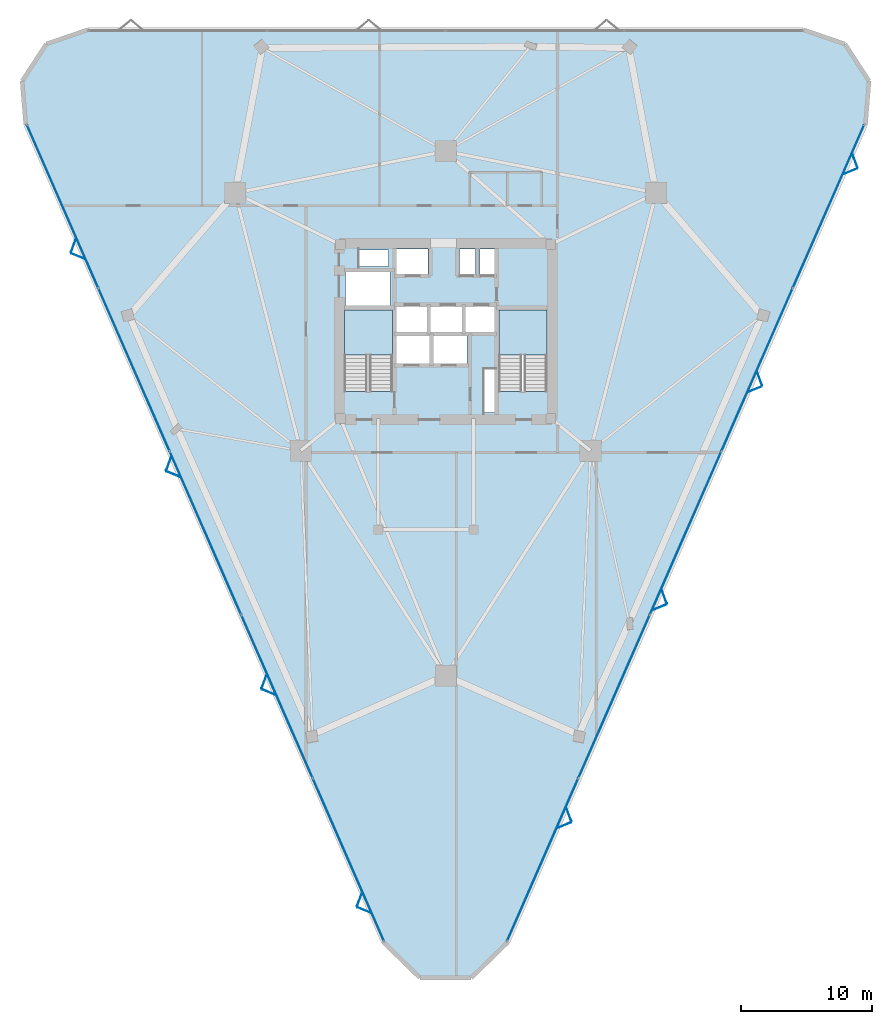
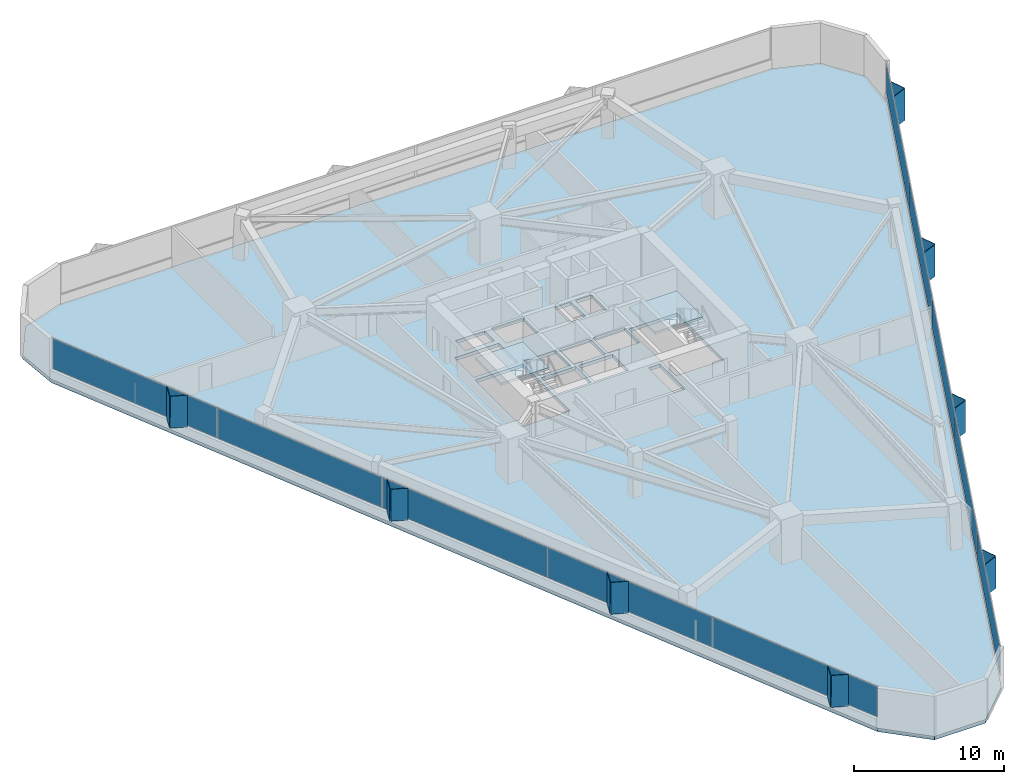
# One storey, part 15 of 20: 26 plates, 3 slabs, 4 elements without a shape of their own.
"""IFC4 building model written with IfcOpenShell, lengths in metres."""

from ifc_helpers import new_model, si_unit, direction, frame, origin, origin_2d, place, context, subcontext, project, spatial, polyline, rectangle, outline, extrude, material, layer, layer_set, type_object, element, aggregate, save


model = new_model("IFC4")

# Units and contexts
model_context = context("Model", 3, precision=1e-05, world=origin(), true_north=direction((0.0, 1.0)))
body_context = subcontext(model_context, "Body", "Model", "MODEL_VIEW")
ifc_project = project(units=[si_unit("LENGTHUNIT", "METRE"), si_unit("AREAUNIT", "SQUARE_METRE"), si_unit("VOLUMEUNIT", "CUBIC_METRE"), si_unit("PLANEANGLEUNIT", "RADIAN"), si_unit("MASSUNIT", "GRAM", prefix="KILO")], contexts=[model_context])

# Site, building, storey
site_placement = place(None, origin())
site = spatial("IfcSite", under=ifc_project, at=site_placement, CompositionType="ELEMENT")
building_placement = place(site_placement, origin())
building = spatial("IfcBuilding", under=site, at=building_placement, Name="Talyreon Biosciences Tower", CompositionType="ELEMENT")
storey_placement = place(building_placement, frame((0.0, 0.0, 75.0)))
storey = spatial("IfcBuildingStorey", under=building, at=storey_placement, Name="L19", CompositionType="ELEMENT", Elevation=75.0)

# Curtain wall, plates
ifc_material_1 = material(Name="Thermally broken aluminium and low-E glazing", Category="aluminium")
ifc_layer_1 = layer(ifc_material_1, 0.18994140625)
ifc_layer_set_1 = layer_set([ifc_layer_1], Name="Thermally broken aluminium and low-E glazing")
curtain_wall_type = type_object("IfcCurtainWallType", Name="CurtainWall_Zone2Genomics", PredefinedType="NOTDEFINED", material=ifc_layer_set_1)
curtain_wall_1_placement = place(storey_placement, origin())
curtain_wall_1 = element("IfcCurtainWall", 1, at=curtain_wall_1_placement, inside=storey, type_object=curtain_wall_type, Name="L19 Unitised Curtain Wall FCW-L19-00", PredefinedType="NOTDEFINED")
ifc_material_2 = material(Name="Triple-silver low-E insulated glazing", Category="glass")
ifc_layer_2 = layer(ifc_material_2, 0.031982421875)
ifc_layer_set_2 = layer_set([ifc_layer_2], Name="Triple-silver low-E insulated glazing")
plate_type_1 = type_object("IfcPlateType", Name="CWGlazingPanel_32", PredefinedType="CURTAIN_PANEL", material=ifc_layer_set_2)
plate_1_placement = place(storey_placement, frame((58.56787109375, 27.5888671875, 0.875), z_axis=(0.0, 0.0, 1.0), x_axis=(-0.400831135099, 0.916151953082, 0.0)))
plate_1 = element("IfcPlate", 2, at=plate_1_placement, type_object=plate_type_1, Name="CW3 panel 1.1", PredefinedType="CURTAIN_PANEL", context=body_context, shape_type="SweptSolid", body=[
    extrude(rectangle(XDim=13.549072265625, YDim=0.031982421875, at=origin_2d()), origin(), (0.0, 0.0, 1.0), 2.43505859375),
])
plate_2_placement = place(storey_placement, frame((53.104248046875, 40.076416015625, 0.875), z_axis=(0.0, 0.0, 1.0), x_axis=(-0.400831135099, 0.916151953082, 0.0)))
plate_2 = element("IfcPlate", 3, at=plate_2_placement, type_object=plate_type_1, Name="CW3 panel 2.1", PredefinedType="CURTAIN_PANEL", context=body_context, shape_type="SweptSolid", body=[
    extrude(rectangle(XDim=13.58154296875, YDim=0.031982421875, at=origin_2d()), origin(), (0.0, 0.0, 1.0), 2.43505859375),
])
plate_3_placement = place(storey_placement, frame((47.63427734375, 52.578857421875, 0.875), z_axis=(0.0, 0.0, 1.0), x_axis=(-0.400831135099, 0.916151953082, 0.0)))
plate_3 = element("IfcPlate", 4, at=plate_3_placement, type_object=plate_type_1, Name="CW3 panel 3.1", PredefinedType="CURTAIN_PANEL", context=body_context, shape_type="SweptSolid", body=[
    extrude(rectangle(XDim=13.58154296875, YDim=0.031982421875, at=origin_2d()), origin(), (0.0, 0.0, 1.0), 2.43505859375),
])
plate_4_placement = place(storey_placement, frame((42.164306640625, 65.081298828125, 0.875), z_axis=(0.0, 0.0, 1.0), x_axis=(-0.400831135099, 0.916151953082, 0.0)))
plate_4 = element("IfcPlate", 5, at=plate_4_placement, type_object=plate_type_1, Name="CW3 panel 4.1", PredefinedType="CURTAIN_PANEL", context=body_context, shape_type="SweptSolid", body=[
    extrude(rectangle(XDim=13.58154296875, YDim=0.031982421875, at=origin_2d()), origin(), (0.0, 0.0, 1.0), 2.43505859375),
])
plate_5_placement = place(storey_placement, frame((36.700927734375, 77.568603515625, 0.875), z_axis=(0.0, 0.0, 1.0), x_axis=(-0.400831135099, 0.916151953082, 0.0)))
plate_5 = element("IfcPlate", 6, at=plate_5_placement, type_object=plate_type_1, Name="CW3 panel 5.1", PredefinedType="CURTAIN_PANEL", context=body_context, shape_type="SweptSolid", body=[
    extrude(rectangle(XDim=13.549072265625, YDim=0.031982421875, at=origin_2d()), origin(), (0.0, 0.0, 1.0), 2.43505859375),
])
aggregate(curtain_wall_1, [plate_1, plate_2, plate_3, plate_4, plate_5])

curtain_wall_2_placement = place(storey_placement, origin())
curtain_wall_2 = element("IfcCurtainWall", 7, at=curtain_wall_2_placement, inside=storey, type_object=curtain_wall_type, Name="L19 Unitised Curtain Wall FCW-L19-08", PredefinedType="NOTDEFINED")
plate_6_placement = place(storey_placement, frame((95.299072265625, 77.568603515625, 0.875), z_axis=(0.0, 0.0, 1.0), x_axis=(-0.400831135099, -0.916151953082, 0.0)))
plate_6 = element("IfcPlate", 8, at=plate_6_placement, type_object=plate_type_1, Name="CW3 panel 1.1", PredefinedType="CURTAIN_PANEL", context=body_context, shape_type="SweptSolid", body=[
    extrude(rectangle(XDim=13.549072265625, YDim=0.031982421875, at=origin_2d()), origin(), (0.0, 0.0, 1.0), 2.43505859375),
])
plate_7_placement = place(storey_placement, frame((89.835693359375, 65.081298828125, 0.875), z_axis=(0.0, 0.0, 1.0), x_axis=(-0.400831135099, -0.916151953082, 0.0)))
plate_7 = element("IfcPlate", 9, at=plate_7_placement, type_object=plate_type_1, Name="CW3 panel 2.1", PredefinedType="CURTAIN_PANEL", context=body_context, shape_type="SweptSolid", body=[
    extrude(rectangle(XDim=13.58154296875, YDim=0.031982421875, at=origin_2d()), origin(), (0.0, 0.0, 1.0), 2.43505859375),
])
plate_8_placement = place(storey_placement, frame((84.36572265625, 52.578857421875, 0.875), z_axis=(0.0, 0.0, 1.0), x_axis=(-0.400831135099, -0.916151953082, 0.0)))
plate_8 = element("IfcPlate", 10, at=plate_8_placement, type_object=plate_type_1, Name="CW3 panel 3.1", PredefinedType="CURTAIN_PANEL", context=body_context, shape_type="SweptSolid", body=[
    extrude(rectangle(XDim=13.58154296875, YDim=0.031982421875, at=origin_2d()), origin(), (0.0, 0.0, 1.0), 2.43505859375),
])
plate_9_placement = place(storey_placement, frame((78.895751953125, 40.076416015625, 0.875), z_axis=(0.0, 0.0, 1.0), x_axis=(-0.400831135099, -0.916151953082, 0.0)))
plate_9 = element("IfcPlate", 11, at=plate_9_placement, type_object=plate_type_1, Name="CW3 panel 4.1", PredefinedType="CURTAIN_PANEL", context=body_context, shape_type="SweptSolid", body=[
    extrude(rectangle(XDim=13.58154296875, YDim=0.031982421875, at=origin_2d()), origin(), (0.0, 0.0, 1.0), 2.43505859375),
])
plate_10_placement = place(storey_placement, frame((73.43212890625, 27.5888671875, 0.875), z_axis=(0.0, 0.0, 1.0), x_axis=(-0.400831135099, -0.916151953082, 0.0)))
plate_10 = element("IfcPlate", 12, at=plate_10_placement, type_object=plate_type_1, Name="CW3 panel 5.1", PredefinedType="CURTAIN_PANEL", context=body_context, shape_type="SweptSolid", body=[
    extrude(rectangle(XDim=13.549072265625, YDim=0.031982421875, at=origin_2d()), origin(), (0.0, 0.0, 1.0), 2.43505859375),
])
aggregate(curtain_wall_2, [plate_6, plate_7, plate_8, plate_9, plate_10])

# Plates
ifc_material_3 = material(Name="Ivory GFRC sunshade panel", Category="concrete")
ifc_layer_3 = layer(ifc_material_3, 0.044921875)
ifc_layer_set_3 = layer_set([ifc_layer_3], Name="Ivory GFRC sunshade panel")
plate_type_2 = type_object("IfcPlateType", Name="FoldedVSunshade_SunFace_SUNSHADE", PredefinedType="USERDEFINED", material=ifc_layer_set_3)
for number, where, z_axis, x_axis, name in (
    (13, (59.77587890625, 23.72998046875, 0.7900390625), (0.0, 0.0, 1.0), (-0.924745434851, 0.380586232965, 0.0), "L19 Folded V-Sunshade Panel 00.01L"),
    (14, (59.4150390625, 24.554443359375, 0.7900390625), (0.0, 0.0, 1.0), (0.348081239861, 0.9374643729, 0.0), "L19 Folded V-Sunshade Panel 00.01R"),
    (15, (52.480712890625, 40.40380859375, 0.7900390625), (0.0, 0.0, 1.0), (-0.924745434851, 0.380586232965, 0.0), "L19 Folded V-Sunshade Panel 00.02L"),
    (16, (52.1201171875, 41.228515625, 0.7900390625), (0.0, 0.0, 1.0), (0.348081239861, 0.9374643729, 0.0), "L19 Folded V-Sunshade Panel 00.02R"),
    (17, (45.185546875, 57.077880859375, 0.7900390625), (0.0, 0.0, 1.0), (-0.924745434851, 0.380586232965, 0.0), "L19 Folded V-Sunshade Panel 00.03L"),
    (18, (44.82470703125, 57.90234375, 0.7900390625), (0.0, 0.0, 1.0), (0.348081239861, 0.9374643729, 0.0), "L19 Folded V-Sunshade Panel 00.03R"),
    (19, (37.890380859375, 73.751708984375, 0.7900390625), (0.0, 0.0, 1.0), (-0.924745434851, 0.380586232965, 0.0), "L19 Folded V-Sunshade Panel 00.04L"),
    (20, (37.52978515625, 74.576416015625, 0.7900390625), (0.0, 0.0, 1.0), (0.348081239861, 0.9374643729, 0.0), "L19 Folded V-Sunshade Panel 00.04R"),
    (21, (97.3134765625, 81.074951171875, 0.7900390625), (0.0, 0.0, 1.0), (0.348081239861, -0.9374643729, 0.0), "L19 Folded V-Sunshade Panel 08.01L"),
    (22, (96.95263671875, 80.250244140625, 0.7900390625), (0.0, 0.0, 1.0), (-0.924745434851, -0.380586232965, 0.0), "L19 Folded V-Sunshade Panel 08.01R"),
    (23, (90.018310546875, 64.40087890625, 0.7900390625), (0.0, 0.0, 1.0), (0.348081239861, -0.9374643729, 0.0), "L19 Folded V-Sunshade Panel 08.02L"),
    (24, (89.65771484375, 63.576416015625, 0.7900390625), (0.0, 0.0, 1.0), (-0.924745434851, -0.380586232965, 0.0), "L19 Folded V-Sunshade Panel 08.02R"),
    (25, (82.72314453125, 47.726806640625, 0.7900390625), (0.0, 0.0, 1.0), (0.348081239861, -0.9374643729, 0.0), "L19 Folded V-Sunshade Panel 08.03L"),
    (26, (82.362548828125, 46.90234375, 0.7900390625), (0.0, 0.0, 1.0), (-0.924745434851, -0.380586232965, 0.0), "L19 Folded V-Sunshade Panel 08.03R"),
    (27, (75.427978515625, 31.052978515625, 0.7900390625), (0.0, 0.0, 1.0), (0.348081239861, -0.9374643729, 0.0), "L19 Folded V-Sunshade Panel 08.04L"),
    (28, (75.0673828125, 30.228515625, 0.7900390625), (0.0, 0.0, 1.0), (-0.924745434851, -0.380586232965, 0.0), "L19 Folded V-Sunshade Panel 08.04R"),
):
    element("IfcPlate", number, at=place(storey_placement, frame(where, z_axis=z_axis, x_axis=x_axis)), inside=storey, type_object=plate_type_2, Name=name, ObjectType="SUNSHADE", PredefinedType="USERDEFINED", context=body_context, shape_type="SweptSolid", body=[
        extrude(rectangle(XDim=1.14990234375, YDim=0.044921875, at=origin_2d()), origin(), (0.0, 0.0, 1.0), 2.5849609375),
    ])

# Stair, slab
ifc_material_4 = material(Name="Concrete C40/50", Category="concrete")
stair_type = type_object("IfcStairType", Name="DoglegEscapeStair_3650", PredefinedType="HALF_TURN_STAIR", material=ifc_material_4)
stair_1_placement = place(storey_placement, origin())
stair_1 = element("IfcStair", 29, at=stair_1_placement, inside=storey, type_object=stair_type, Name="L19 Core Escape Stair 1", PredefinedType="HALF_TURN_STAIR")
ifc_layer_4 = layer(ifc_material_4, 0.199951171875)
ifc_layer_set_4 = layer_set([ifc_layer_4], Name="Concrete C40/50")
slab_type_1 = type_object("IfcSlabType", Name="StairLandingSlab_200", PredefinedType="LANDING", material=ifc_layer_set_4)
slab_1_placement = place(storey_placement, frame((0.0, 0.0, 1.625)))
slab_1 = element("IfcSlab", 30, at=slab_1_placement, type_object=slab_type_1, Name="ST-1 landing 1", PredefinedType="LANDING", context=body_context, shape_type="SweptSolid", body=[
    extrude(outline(polyline([(61.929931640625, 66.199951171875), (61.929931640625, 69.64990234375), (58.25, 69.64990234375), (58.25, 66.199951171875), (61.929931640625, 66.199951171875)])), origin(), (0.0, 0.0, 1.0), 0.199951171875),
])
aggregate(stair_1, [slab_1])

stair_2_placement = place(storey_placement, origin())
stair_2 = element("IfcStair", 31, at=stair_2_placement, inside=storey, type_object=stair_type, Name="L19 Core Escape Stair 2", PredefinedType="HALF_TURN_STAIR")
slab_2_placement = place(storey_placement, frame((0.0, 0.0, 1.625)))
slab_2 = element("IfcSlab", 32, at=slab_2_placement, type_object=slab_type_1, Name="ST-2 landing 1", PredefinedType="LANDING", context=body_context, shape_type="SweptSolid", body=[
    extrude(outline(polyline([(73.75, 66.199951171875), (73.75, 69.64990234375), (70.070068359375, 69.64990234375), (70.070068359375, 66.199951171875), (73.75, 66.199951171875)])), origin(), (0.0, 0.0, 1.0), 0.199951171875),
])
aggregate(stair_2, [slab_2])

# Slab
ifc_layer_5 = layer(ifc_material_4, 0.27490234375)
ifc_layer_set_5 = layer_set([ifc_layer_5], Name="Concrete C40/50")
slab_type_2 = type_object("IfcSlabType", Name="WetLabFloorSlab_275", PredefinedType="FLOOR", material=ifc_layer_set_5)
slab_3_placement = place(storey_placement, frame((0.0, 0.0, -0.27490234375)))
element("IfcSlab", 33, at=slab_3_placement, inside=storey, type_object=slab_type_2, Name="L19 Structural Floor Slab", PredefinedType="FLOOR", context=body_context, shape_type="SweptSolid", body=[
    extrude(outline(polyline([(61.236083984375, 21.290771484375), (33.885986328125, 83.802734375), (33.60986328125, 87.166748046875), (35.45751953125, 89.99169921875), (38.64990234375, 91.087158203125), (93.35009765625, 91.087158203125), (96.54248046875, 89.99169921875), (98.39013671875, 87.166748046875), (98.114013671875, 83.802734375), (70.763916015625, 21.290771484375), (67.958251953125, 18.557861328125), (64.041748046875, 18.557861328125), (61.236083984375, 21.290771484375)]), holes=[polyline([(61.929931640625, 69.64990234375), (61.929931640625, 63.407958984375), (58.25, 63.407958984375), (58.25, 69.64990234375), (61.929931640625, 69.64990234375)]), polyline([(64.800048828125, 65.550048828125), (62.199951171875, 65.550048828125), (62.199951171875, 67.64990234375), (64.800048828125, 67.64990234375), (64.800048828125, 65.550048828125)]), polyline([(64.60009765625, 67.949951171875), (62.199951171875, 67.949951171875), (62.199951171875, 69.949951171875), (64.60009765625, 69.949951171875), (64.60009765625, 67.949951171875)]), polyline([(67.25, 69.949951171875), (67.25, 67.949951171875), (64.85009765625, 67.949951171875), (64.85009765625, 69.949951171875), (67.25, 69.949951171875)]), polyline([(61.75, 69.97998046875), (58.35009765625, 69.97998046875), (58.35009765625, 72.550048828125), (61.75, 72.550048828125), (61.75, 69.97998046875)]), polyline([(64.64990234375, 72.35009765625), (62.199951171875, 72.35009765625), (62.199951171875, 74.300048828125), (64.64990234375, 74.300048828125), (64.64990234375, 72.35009765625)]), polyline([(61.64990234375, 74.25), (61.64990234375, 72.9599609375), (59.39990234375, 72.9599609375), (59.39990234375, 74.25), (61.64990234375, 74.25)]), polyline([(69.820068359375, 61.800048828125), (68.9599609375, 61.800048828125), (68.9599609375, 65.10009765625), (69.820068359375, 65.10009765625), (69.820068359375, 61.800048828125)]), polyline([(73.75, 63.407958984375), (70.070068359375, 63.407958984375), (70.070068359375, 69.64990234375), (73.75, 69.64990234375), (73.75, 63.407958984375)]), polyline([(67.64990234375, 65.550048828125), (65.050048828125, 65.550048828125), (65.050048828125, 67.64990234375), (67.64990234375, 67.64990234375), (67.64990234375, 65.550048828125)]), polyline([(69.89990234375, 67.949951171875), (67.5, 67.949951171875), (67.5, 69.949951171875), (69.89990234375, 69.949951171875), (69.89990234375, 67.949951171875)]), polyline([(68.300048828125, 72.35009765625), (67.050048828125, 72.35009765625), (67.050048828125, 74.300048828125), (68.300048828125, 74.300048828125), (68.300048828125, 72.35009765625)]), polyline([(69.919921875, 72.35009765625), (68.6201171875, 72.35009765625), (68.6201171875, 74.300048828125), (69.919921875, 74.300048828125), (69.919921875, 72.35009765625)])]), origin(), (0.0, 0.0, 1.0), 0.27490234375),
])

save(model, "model.ifc")
